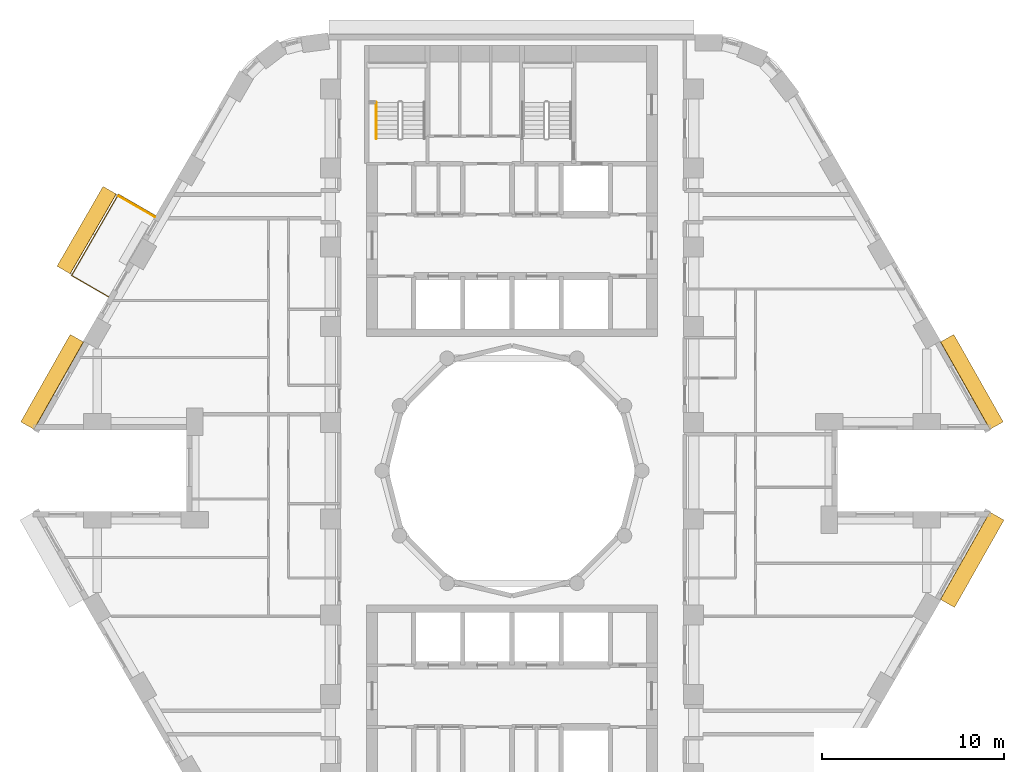
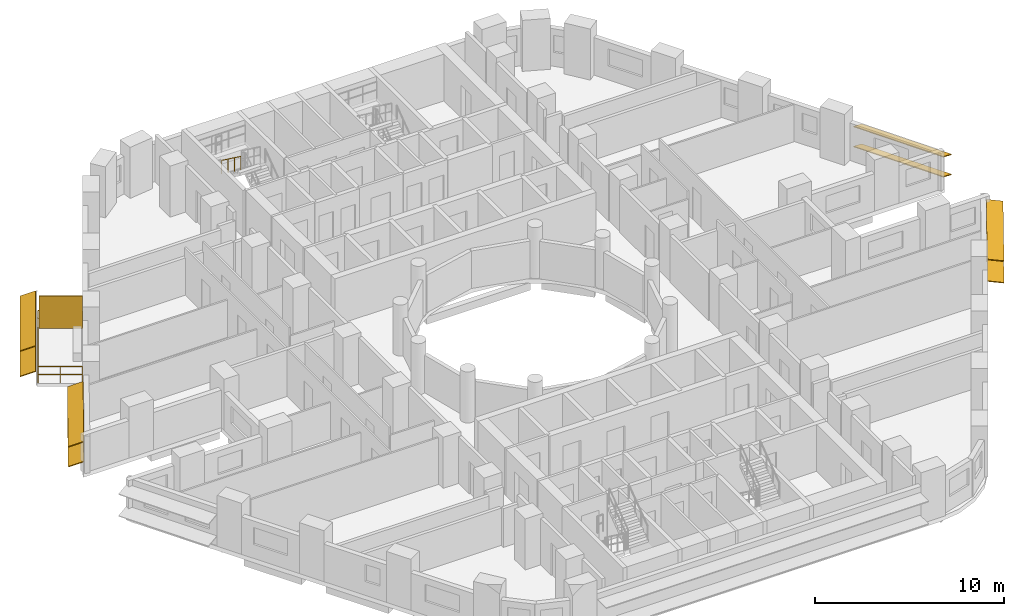
# One storey, part 12 of 13: 9 shading devices, 2 railings.
"""IFC4 building model written with IfcOpenShell, lengths in metres."""

from ifc_helpers import new_model, si_unit, direction, frame, origin, origin_2d, place, context, subcontext, project, spatial, rectangle, circle, extrude, material, layer, layer_set, material_profile, profile_set, type_object, element, save


model = new_model("IFC4")

# Units and contexts
model_context = context("Model", 3, precision=1e-05, world=origin(), true_north=direction((0.0, 1.0)))
body_context = subcontext(model_context, "Body", "Model", "MODEL_VIEW")
ifc_project = project(units=[si_unit("LENGTHUNIT", "METRE"), si_unit("AREAUNIT", "SQUARE_METRE"), si_unit("VOLUMEUNIT", "CUBIC_METRE"), si_unit("PLANEANGLEUNIT", "RADIAN"), si_unit("MASSUNIT", "GRAM", prefix="KILO")], contexts=[model_context])

# Site, building, storey
site_placement = place(None, origin())
site = spatial("IfcSite", under=ifc_project, at=site_placement, CompositionType="ELEMENT")
building_placement = place(site_placement, origin())
building = spatial("IfcBuilding", under=site, at=building_placement, Name="Nakaniwa Court", CompositionType="ELEMENT")
storey_placement = place(building_placement, frame((0.0, 0.0, 44.699951171875)))
storey = spatial("IfcBuildingStorey", under=building, at=storey_placement, Name="L11", CompositionType="ELEMENT", Elevation=44.699951171875)

# Railing
ifc_material_1 = material(Name="Black powder-coated steel flat bar balustrade S275", Category="steel")
railing_type_1 = type_object("IfcRailingType", Name="Black metal balcony guard 1100", PredefinedType="GUARDRAIL", material=ifc_material_1)
railing_1_placement = place(storey_placement, frame((60.384521484375, 94.025390625, -0.050048828125)))
element("IfcRailing", 1, at=railing_1_placement, inside=storey, type_object=railing_type_1, Name="L11 balcony guard 01", PredefinedType="GUARDRAIL", context=body_context, shape_type="SweptSolid", body=[
    extrude(circle(Radius=0.02392578125, at=origin_2d()), frame((0.0, 0.0, 1.076171875), z_axis=(-0.866025363618, 0.50000006957, 0.0), x_axis=(-0.50000006957, -0.866025363618, 0.0)), (0.0, 0.0, 1.0), 2.35986328125),
    extrude(circle(Radius=0.02392578125, at=origin_2d()), frame((0.0, 0.0, 0.550048828125), z_axis=(-0.866025363618, 0.50000006957, 0.0), x_axis=(-0.50000006957, -0.866025363618, 0.0)), (0.0, 0.0, 1.0), 2.35986328125),
    extrude(circle(Radius=0.02392578125, at=origin_2d()), frame((-2.043701171875, 1.179931640625, 1.076171875), z_axis=(-0.499983737144, -0.866034792945, 0.0), x_axis=(0.866034792945, -0.499983737144, 0.0)), (0.0, 0.0, 1.0), 5.149658203125),
    extrude(circle(Radius=0.02392578125, at=origin_2d()), frame((-2.043701171875, 1.179931640625, 0.550048828125), z_axis=(-0.499983737144, -0.866034792945, 0.0), x_axis=(0.866034792945, -0.499983737144, 0.0)), (0.0, 0.0, 1.0), 5.149658203125),
    extrude(circle(Radius=0.02392578125, at=origin_2d()), frame((-4.618408203125, -3.27978515625, 1.076171875), z_axis=(0.866051224006, -0.499955275397, 0.0), x_axis=(0.499955275397, 0.866051224006, 0.0)), (0.0, 0.0, 1.0), 2.360107421875),
    extrude(circle(Radius=0.02392578125, at=origin_2d()), frame((-4.618408203125, -3.27978515625, 0.550048828125), z_axis=(0.866051224006, -0.499955275397, 0.0), x_axis=(0.499955275397, 0.866051224006, 0.0)), (0.0, 0.0, 1.0), 2.360107421875),
    extrude(circle(Radius=0.02099609375, at=origin_2d()), origin(), (0.0, 0.0, 1.0), 1.052001953125),
    extrude(circle(Radius=0.02099609375, at=origin_2d()), frame((-1.02197265625, 0.58984375, 0.0)), (0.0, 0.0, 1.0), 1.052001953125),
    extrude(circle(Radius=0.02099609375, at=origin_2d()), frame((-2.043701171875, 1.179931640625, 0.0)), (0.0, 0.0, 1.0), 1.052001953125),
    extrude(circle(Radius=0.02099609375, at=origin_2d()), frame((-2.55859375, 0.2880859375, 0.0)), (0.0, 0.0, 1.0), 1.052001953125),
    extrude(circle(Radius=0.02099609375, at=origin_2d()), frame((-3.073486328125, -0.60400390625, 0.0)), (0.0, 0.0, 1.0), 1.052001953125),
    extrude(circle(Radius=0.02099609375, at=origin_2d()), frame((-3.588623046875, -1.495849609375, 0.0)), (0.0, 0.0, 1.0), 1.052001953125),
    extrude(circle(Radius=0.02099609375, at=origin_2d()), frame((-4.103515625, -2.387939453125, 0.0)), (0.0, 0.0, 1.0), 1.052001953125),
    extrude(circle(Radius=0.02099609375, at=origin_2d()), frame((-4.618408203125, -3.27978515625, 0.0)), (0.0, 0.0, 1.0), 1.052001953125),
    extrude(circle(Radius=0.02099609375, at=origin_2d()), frame((-3.596435546875, -3.86962890625, 0.0)), (0.0, 0.0, 1.0), 1.052001953125),
    extrude(circle(Radius=0.02099609375, at=origin_2d()), frame((-2.574462890625, -4.459716796875, 0.0)), (0.0, 0.0, 1.0), 1.052001953125),
])

# Shading devices
ifc_material_2 = material(Name="Black powder-coated aluminium slat screen", Category="aluminium")
ifc_layer = layer(ifc_material_2, 0.0400390625)
ifc_layer_set = layer_set([ifc_layer], Name="Black powder-coated aluminium slat screen")
shading_device_type_1 = type_object("IfcShadingDeviceType", Name="Koshi screen black metal", PredefinedType="USERDEFINED", material=ifc_layer_set)
shading_device_placement = place(storey_placement, frame((59.344482421875, 94.53369140625, -0.050048828125), z_axis=(0.0, 0.0, 1.0), x_axis=(-0.499974304289, -0.866040238702, 0.0)))
element("IfcShadingDevice", 2, at=shading_device_placement, inside=storey, type_object=shading_device_type_1, Name="L11 balcony SCREEN 01 W", ObjectType="KOSHI SCREEN", PredefinedType="USERDEFINED", context=body_context, shape_type="SweptSolid", body=[
    extrude(rectangle(XDim=0.0400390625, YDim=2.31005859375, at=origin_2d()), origin(), (0.0, 0.0, 1.0), 2.10009765625),
])
ifc_material_3 = material(Name="Perforated charcoal ceramic louvre blade")
ifc_material_profile = material_profile(ifc_material_3, rectangle(XDim=0.89990234375, YDim=0.050048828125, at=origin_2d()), Name="Perforated ceramic louvre blade")
ifc_profile_set = profile_set([ifc_material_profile], Name="Perforated charcoal ceramic louvre blade")
shading_device_type_2 = type_object("IfcShadingDeviceType", Name="Perforated ceramic louvre blade", PredefinedType="JALOUSIE", material=ifc_profile_set)
for number, where, z_axis, x_axis, name in (
    (3, (57.865966796875, 95.433349609375, 0.5), (-0.499982305563, -0.866035619431, 0.0), (0.800112583218, -0.461923418727, 0.382683432365), "L11 perforated ceramic louvre blade 01 1"),
    (4, (57.865966796875, 95.433349609375, 2.150146484375), (-0.499982305563, -0.866035619431, 0.0), (0.800112583218, -0.461923418727, 0.382683432365), "L11 perforated ceramic louvre blade 01 2"),
):
    element("IfcShadingDevice", number, at=place(storey_placement, frame(where, z_axis=z_axis, x_axis=x_axis)), inside=storey, type_object=shading_device_type_2, Name=name, PredefinedType="JALOUSIE", context=body_context, shape_type="SweptSolid", body=[
        extrude(rectangle(XDim=0.89990234375, YDim=0.050048828125, at=origin_2d()), origin(), (0.0, 0.0, 1.0), 5.069580078125),
    ])
for number, where, z_axis, x_axis, name in (
    (5, (106.662353515625, 82.480224609375, 0.550048828125), (-0.492342539441, 0.870401530247, 0.0), (-0.80472628244, -0.455193342019, 0.38107037635), "L11 perforated ceramic louvre blade w02 1"),
    (6, (106.662353515625, 82.480224609375, 1.845458984375), (-0.492342539441, 0.870401530247, 0.0), (-0.80472628244, -0.455193342019, 0.38107037635), "L11 perforated ceramic louvre blade w02 2"),
    (7, (56.05859375, 87.29052734375, 0.550048828125), (-0.492342539441, -0.870401530247, 0.0), (0.80472628244, -0.455193342019, 0.38107037635), "L11 perforated ceramic louvre blade w14 1"),
    (8, (56.05859375, 87.29052734375, 1.845458984375), (-0.492342539441, -0.870401530247, 0.0), (0.80472628244, -0.455193342019, 0.38107037635), "L11 perforated ceramic louvre blade w14 2"),
    (9, (103.962158203125, 72.69775390625, 0.550048828125), (0.492342539441, 0.870401530247, 0.0), (-0.86275552304, 0.488017576221, 0.132256390257), "L11 perforated ceramic louvre blade w32 1"),
    (10, (103.962158203125, 72.69775390625, 1.955810546875), (0.492342539441, 0.870401530247, 0.0), (-0.86275552304, 0.488017576221, 0.132256390257), "L11 perforated ceramic louvre blade w32 2"),
):
    element("IfcShadingDevice", number, at=place(storey_placement, frame(where, z_axis=z_axis, x_axis=x_axis)), inside=storey, type_object=shading_device_type_2, Name=name, PredefinedType="JALOUSIE", context=body_context, shape_type="SweptSolid", body=[
        extrude(rectangle(XDim=0.89990234375, YDim=0.050048828125, at=origin_2d()), origin(), (0.0, 0.0, 1.0), 5.526611328125),
    ])

# Railing
ifc_material_4 = material(Name="Black powder coated steel handrail", Category="steel")
railing_type_2 = type_object("IfcRailingType", Name="Stair handrail 900", PredefinedType="HANDRAIL", material=ifc_material_4)
railing_2_placement = place(storey_placement, frame((72.52490234375, 100.27490234375, 1.83349609375)))
element("IfcRailing", 11, at=railing_2_placement, inside=storey, type_object=railing_type_2, Name="L11 ST1 stair handrail 2", PredefinedType="HANDRAIL", context=body_context, shape_type="SweptSolid", body=[
    extrude(circle(Radius=0.02392578125, at=origin_2d()), frame((0.0, 0.0, 0.8759765625), z_axis=(0.0, -0.806426902644, 0.591333789573), x_axis=(1.0, 0.0, 0.0)), (0.0, 0.0, 1.0), 2.47998046875),
    extrude(circle(Radius=0.02099609375, at=origin_2d()), origin(), (0.0, 0.0, 1.0), 0.851806640625),
    extrude(circle(Radius=0.02099609375, at=origin_2d()), frame((0.0, -0.666748046875, 0.48876953125)), (0.0, 0.0, 1.0), 0.851806640625),
    extrude(circle(Radius=0.02099609375, at=origin_2d()), frame((0.0, -1.333251953125, 0.977783203125)), (0.0, 0.0, 1.0), 0.851806640625),
    extrude(circle(Radius=0.02099609375, at=origin_2d()), frame((0.0, -2.0, 1.466552734375)), (0.0, 0.0, 1.0), 0.851806640625),
])

save(model, "model.ifc")
